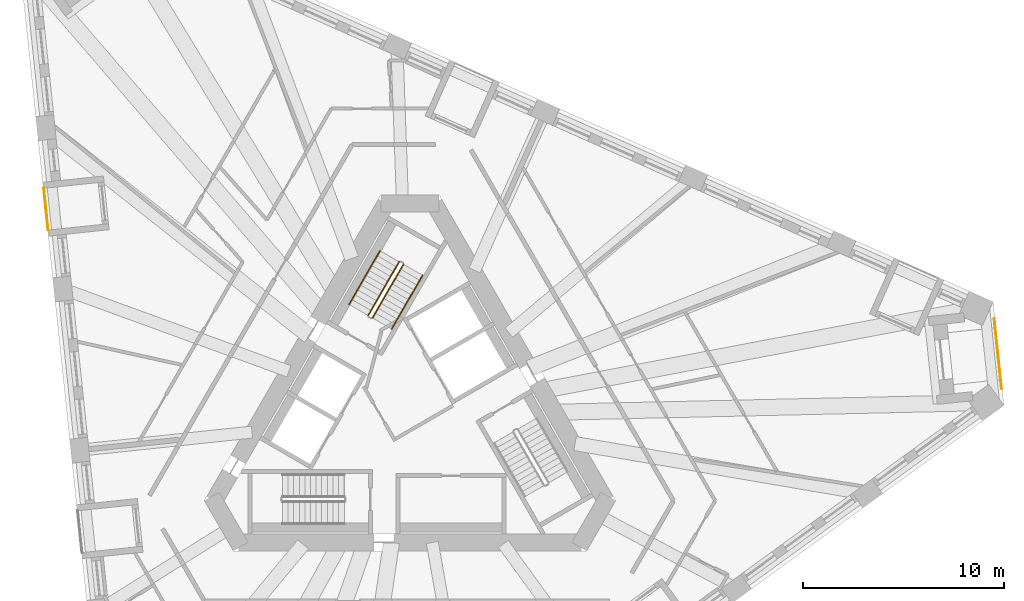
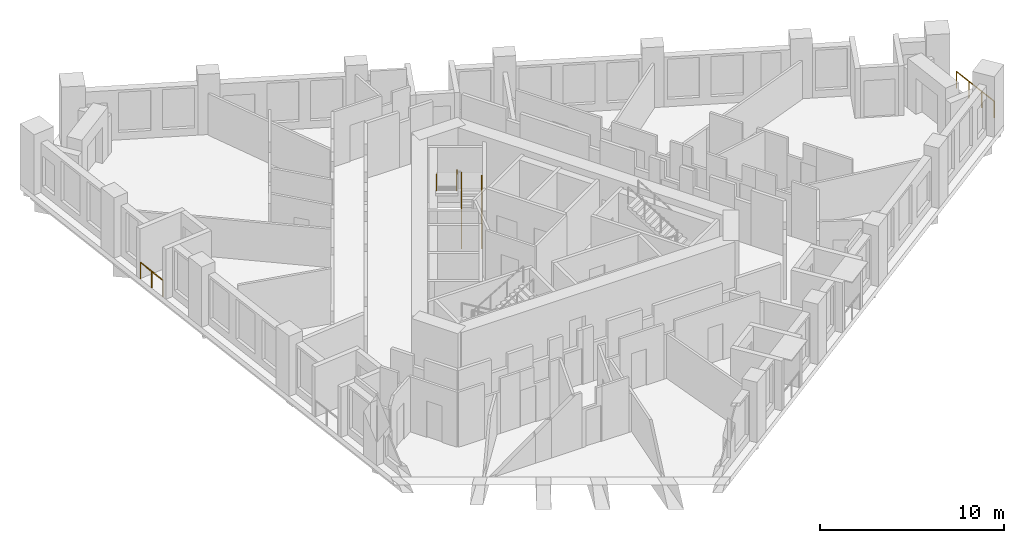
# One storey, part 12 of 14: 6 railings.
"""IFC4 building model written with IfcOpenShell, lengths in metres."""

from ifc_helpers import new_model, si_unit, direction, frame, origin, origin_2d, place, context, subcontext, project, spatial, circle, extrude, material, type_object, element, save


model = new_model("IFC4")

# Units and contexts
model_context = context("Model", 3, precision=1e-05, world=origin(), true_north=direction((0.0, 1.0)))
body_context = subcontext(model_context, "Body", "Model", "MODEL_VIEW")
ifc_project = project(units=[si_unit("LENGTHUNIT", "METRE"), si_unit("AREAUNIT", "SQUARE_METRE"), si_unit("VOLUMEUNIT", "CUBIC_METRE"), si_unit("PLANEANGLEUNIT", "RADIAN"), si_unit("MASSUNIT", "GRAM", prefix="KILO")], contexts=[model_context])

# Site, building, storey
site_placement = place(None, origin())
site = spatial("IfcSite", under=ifc_project, at=site_placement, CompositionType="ELEMENT")
building_placement = place(site_placement, origin())
building = spatial("IfcBuilding", under=site, at=building_placement, Name="Tramontana Tower", CompositionType="ELEMENT")
storey_placement = place(building_placement, frame((0.0, 0.0, 170.800048828125)))
storey = spatial("IfcBuildingStorey", under=building, at=storey_placement, Name="L39", CompositionType="ELEMENT", Elevation=170.800048828125)

# Railings
ifc_material_1 = material(Name="Laminated glass balustrade", Category="glass")
railing_type_1 = type_object("IfcRailingType", Name="GD1 Loggia glass balustrade 1100", PredefinedType="BALUSTRADE", material=ifc_material_1)
railing_1_placement = place(storey_placement, frame((-18.25390625, 11.325439453125, 0.0)))
element("IfcRailing", 1, at=railing_1_placement, inside=storey, type_object=railing_type_1, Name="Loggia balustrade L39 G4S0.4", PredefinedType="BALUSTRADE", context=body_context, shape_type="SweptSolid", body=[
    extrude(circle(Radius=0.02392578125, at=origin_2d()), frame((0.0, 0.0, 1.076171875), z_axis=(0.104569484464, -0.994517583011, 0.0), x_axis=(0.994517583011, 0.104569484464, 0.0)), (0.0, 0.0, 1.0), 2.09423828125),
    extrude(circle(Radius=0.02099609375, at=origin_2d()), origin(), (0.0, 0.0, 1.0), 1.052001953125),
    extrude(circle(Radius=0.02099609375, at=origin_2d()), frame((0.109375, -1.04150390625, 0.0)), (0.0, 0.0, 1.0), 1.052001953125),
    extrude(circle(Radius=0.02099609375, at=origin_2d()), frame((0.218994140625, -2.082763671875, 0.0)), (0.0, 0.0, 1.0), 1.052001953125),
])
railing_2_placement = place(storey_placement, frame((29.125732421875, 4.82080078125, 0.0)))
element("IfcRailing", 2, at=railing_2_placement, inside=storey, type_object=railing_type_1, Name="Corner loggia balustrade L39 K42", PredefinedType="BALUSTRADE", context=body_context, shape_type="SweptSolid", body=[
    extrude(circle(Radius=0.02392578125, at=origin_2d()), frame((0.0, 0.0, 1.076171875), z_axis=(0.104495960989, -0.994525310958, 0.0), x_axis=(0.994525310958, 0.104495960989, 0.0)), (0.0, 0.0, 1.0), 3.499755859375),
    extrude(circle(Radius=0.02099609375, at=origin_2d()), origin(), (0.0, 0.0, 1.0), 1.052001953125),
    extrude(circle(Radius=0.02099609375, at=origin_2d()), frame((0.121826171875, -1.16015625, 0.0)), (0.0, 0.0, 1.0), 1.052001953125),
    extrude(circle(Radius=0.02099609375, at=origin_2d()), frame((0.243896484375, -2.320556640625, 0.0)), (0.0, 0.0, 1.0), 1.052001953125),
    extrude(circle(Radius=0.02099609375, at=origin_2d()), frame((0.36572265625, -3.480712890625, 0.0)), (0.0, 0.0, 1.0), 1.052001953125),
])
ifc_material_2 = material(Name="Painted steel", Category="steel")
railing_type_2 = type_object("IfcRailingType", Name="STAIR GUARD 1100", PredefinedType="GUARDRAIL", material=ifc_material_2)
railing_3_placement = place(storey_placement, frame((-1.867431640625, 4.865478515625, 0.16650390625)))
element("IfcRailing", 3, at=railing_3_placement, inside=storey, type_object=railing_type_2, Name="L39 ST1 stair guard 1", PredefinedType="GUARDRAIL", context=body_context, shape_type="SweptSolid", body=[
    extrude(circle(Radius=0.02392578125, at=origin_2d()), frame((0.0, 0.0, 1.076171875), z_axis=(0.429634447492, 0.7441639146, 0.511502013422), x_axis=(-0.866029832698, 0.499992328818, 0.0)), (0.0, 0.0, 1.0), 3.58447265625),
    extrude(circle(Radius=0.02099609375, at=origin_2d()), origin(), (0.0, 0.0, 1.0), 1.052001953125),
    extrude(circle(Radius=0.02099609375, at=origin_2d()), frame((0.513427734375, 0.88916015625, 0.611083984375)), (0.0, 0.0, 1.0), 1.052001953125),
    extrude(circle(Radius=0.02099609375, at=origin_2d()), frame((1.026611328125, 1.7783203125, 1.222412109375)), (0.0, 0.0, 1.0), 1.052001953125),
    extrude(circle(Radius=0.02099609375, at=origin_2d()), frame((1.5400390625, 2.66748046875, 1.83349609375)), (0.0, 0.0, 1.0), 1.052001953125),
])
railing_4_placement = place(storey_placement, frame((-0.5439453125, 7.657958984375, 2.16650390625)))
element("IfcRailing", 4, at=railing_4_placement, inside=storey, type_object=railing_type_2, Name="L39 ST1 stair guard 2", PredefinedType="GUARDRAIL", context=body_context, shape_type="SweptSolid", body=[
    extrude(circle(Radius=0.02392578125, at=origin_2d()), frame((0.0, 0.0, 1.076171875), z_axis=(-0.429634447492, -0.7441639146, 0.511502013422), x_axis=(0.866029832698, -0.499992328818, 0.0)), (0.0, 0.0, 1.0), 3.58447265625),
    extrude(circle(Radius=0.02099609375, at=origin_2d()), origin(), (0.0, 0.0, 1.0), 1.052001953125),
    extrude(circle(Radius=0.02099609375, at=origin_2d()), frame((-0.513427734375, -0.88916015625, 0.611083984375)), (0.0, 0.0, 1.0), 1.052001953125),
    extrude(circle(Radius=0.02099609375, at=origin_2d()), frame((-1.026611328125, -1.7783203125, 1.222412109375)), (0.0, 0.0, 1.0), 1.052001953125),
    extrude(circle(Radius=0.02099609375, at=origin_2d()), frame((-1.5400390625, -2.66748046875, 1.83349609375)), (0.0, 0.0, 1.0), 1.052001953125),
])
ifc_material_3 = material(Name="Painted steel", Category="steel")
railing_type_3 = type_object("IfcRailingType", Name="STAIR HANDRAIL 900", PredefinedType="HANDRAIL", material=ifc_material_3)
railing_5_placement = place(storey_placement, frame((-0.914794921875, 4.315673828125, 0.16650390625)))
element("IfcRailing", 5, at=railing_5_placement, inside=storey, type_object=railing_type_3, Name="L39 ST1 stair handrail 1", PredefinedType="HANDRAIL", context=body_context, shape_type="SweptSolid", body=[
    extrude(circle(Radius=0.02392578125, at=origin_2d()), frame((0.0, 0.0, 0.8759765625), z_axis=(0.429656224001, 0.744133520484, 0.511527939481), x_axis=(-0.866010015463, 0.500026652407, 0.0)), (0.0, 0.0, 1.0), 3.58447265625),
    extrude(circle(Radius=0.02099609375, at=origin_2d()), origin(), (0.0, 0.0, 1.0), 0.851806640625),
    extrude(circle(Radius=0.02099609375, at=origin_2d()), frame((0.513427734375, 0.88916015625, 0.611083984375)), (0.0, 0.0, 1.0), 0.851806640625),
    extrude(circle(Radius=0.02099609375, at=origin_2d()), frame((1.026611328125, 1.778076171875, 1.222412109375)), (0.0, 0.0, 1.0), 0.851806640625),
    extrude(circle(Radius=0.02099609375, at=origin_2d()), frame((1.5400390625, 2.667236328125, 1.83349609375)), (0.0, 0.0, 1.0), 0.851806640625),
])
railing_6_placement = place(storey_placement, frame((-1.49658203125, 8.2080078125, 2.16650390625)))
element("IfcRailing", 6, at=railing_6_placement, inside=storey, type_object=railing_type_3, Name="L39 ST1 stair handrail 2", PredefinedType="HANDRAIL", context=body_context, shape_type="SweptSolid", body=[
    extrude(circle(Radius=0.02392578125, at=origin_2d()), frame((0.0, 0.0, 0.8759765625), z_axis=(-0.429634447492, -0.7441639146, 0.511502013422), x_axis=(0.866029832698, -0.499992328818, 0.0)), (0.0, 0.0, 1.0), 3.58447265625),
    extrude(circle(Radius=0.02099609375, at=origin_2d()), origin(), (0.0, 0.0, 1.0), 0.851806640625),
    extrude(circle(Radius=0.02099609375, at=origin_2d()), frame((-0.513427734375, -0.88916015625, 0.611083984375)), (0.0, 0.0, 1.0), 0.851806640625),
    extrude(circle(Radius=0.02099609375, at=origin_2d()), frame((-1.026611328125, -1.7783203125, 1.222412109375)), (0.0, 0.0, 1.0), 0.851806640625),
    extrude(circle(Radius=0.02099609375, at=origin_2d()), frame((-1.5400390625, -2.66748046875, 1.83349609375)), (0.0, 0.0, 1.0), 0.851806640625),
])

save(model, "model.ifc")
